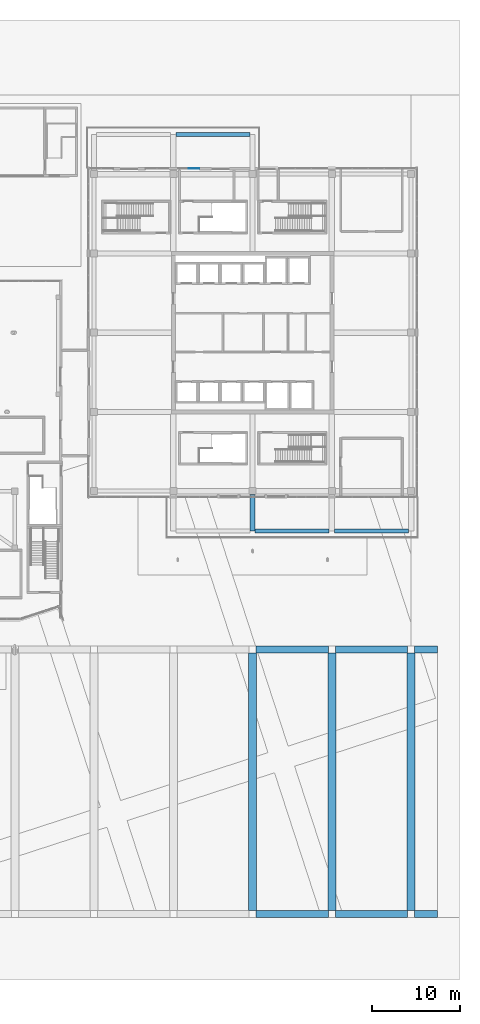
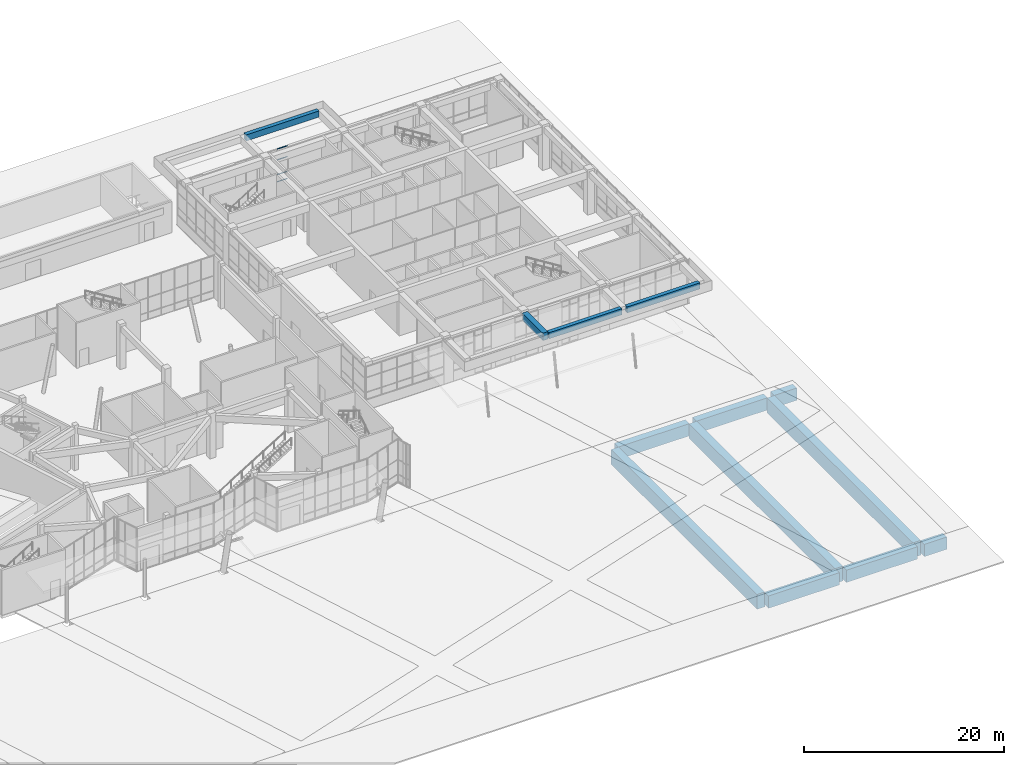
# One storey, part 30 of 72: 13 beams, 4 members, 1 element without a shape of its own.
"""IFC4 building model written with IfcOpenShell, lengths in metres."""

from ifc_helpers import new_model, si_unit, direction, frame, origin, origin_2d, place, context, subcontext, project, spatial, rectangle, hollow_rectangle, extrude, material, layer, layer_set, material_profile, profile_set, type_object, element, aggregate, save


model = new_model("IFC4")

# Units and contexts
model_context = context("Model", 3, precision=1e-05, world=origin(), true_north=direction((0.0, 1.0)))
body_context = subcontext(model_context, "Body", "Model", "MODEL_VIEW")
ifc_project = project(units=[si_unit("LENGTHUNIT", "METRE"), si_unit("AREAUNIT", "SQUARE_METRE"), si_unit("VOLUMEUNIT", "CUBIC_METRE"), si_unit("PLANEANGLEUNIT", "RADIAN"), si_unit("MASSUNIT", "GRAM", prefix="KILO")], contexts=[model_context])

# Site, building, storey
site_placement = place(None, origin())
site = spatial("IfcSite", under=ifc_project, at=site_placement, CompositionType="ELEMENT")
building_placement = place(site_placement, origin())
building = spatial("IfcBuilding", under=site, at=building_placement, Name="Tuart Plaza Theatre", CompositionType="ELEMENT")
storey_placement = place(building_placement, origin())
storey = spatial("IfcBuildingStorey", under=building, at=storey_placement, Name="L00", CompositionType="ELEMENT", Elevation=0.0)

# Beams
ifc_material_1 = material(Name="Concrete N40 (40 MPa)", Category="concrete")
ifc_material_profile_1 = material_profile(ifc_material_1, rectangle(XDim=0.449951171875, YDim=0.75, at=origin_2d()), Name="BEAM 450x750 Concrete N40 (40 MPa)")
ifc_profile_set_1 = profile_set([ifc_material_profile_1], Name="Concrete N40 (40 MPa)")
beam_type_1 = type_object("IfcBeamType", Name="BEAM 450x750 Concrete N40 (40 MPa)", PredefinedType="BEAM", material=ifc_profile_set_1)
for number, where, z_axis, x_axis, name in (
    (1, (123.300048828125, 96.5, 4.875), (1.0, 0.0, 0.0), (0.0, 1.0, 0.0), "RB140"),
    (2, (132.300048828125, 51.5, 4.875), (1.0, 0.0, 0.0), (0.0, 1.0, 0.0), "RB142"),
    (3, (141.300048828125, 51.5, 4.875), (1.0, 0.0, 0.0), (0.0, 1.0, 0.0), "RB149"),
):
    element("IfcBeam", number, at=place(storey_placement, frame(where, z_axis=z_axis, x_axis=x_axis)), inside=storey, type_object=beam_type_1, Name=name, PredefinedType="BEAM", context=body_context, shape_type="SweptSolid", body=[
        extrude(rectangle(XDim=0.449951171875, YDim=0.75, at=origin_2d()), origin(), (0.0, 0.0, 1.0), 8.39990234375),
    ])
ifc_material_2 = material(Name="Concrete N40 (40 MPa)", Category="concrete")
ifc_material_profile_2 = material_profile(ifc_material_2, rectangle(XDim=0.60009765625, YDim=0.89990234375, at=origin_2d()), Name="BEAM 600x900 Concrete N40 (40 MPa)")
ifc_profile_set_2 = profile_set([ifc_material_profile_2], Name="Concrete N40 (40 MPa)")
beam_type_2 = type_object("IfcBeamType", Name="BEAM 600x900 Concrete N40 (40 MPa)", PredefinedType="BEAM", material=ifc_profile_set_2)
beam_1_placement = place(storey_placement, frame((132.0, 51.5, 4.800048828125), z_axis=(0.0, 1.0, 0.0), x_axis=(-1.0, 0.0, 0.0)))
element("IfcBeam", 4, at=beam_1_placement, inside=storey, type_object=beam_type_2, Name="RB141", PredefinedType="BEAM", context=body_context, shape_type="SweptSolid", body=[
    extrude(rectangle(XDim=0.60009765625, YDim=0.89990234375, at=origin_2d()), origin(), (0.0, 0.0, 1.0), 4.10009765625),
])
ifc_material_3 = material(Name="Concrete N40 (40 MPa)", Category="concrete")
ifc_material_profile_3 = material_profile(ifc_material_3, rectangle(XDim=0.800048828125, YDim=1.5, at=origin_2d()), Name="BEAM 800x1500 Concrete N40 (40 MPa)")
ifc_profile_set_3 = profile_set([ifc_material_profile_3], Name="Concrete N40 (40 MPa)")
beam_type_3 = type_object("IfcBeamType", Name="BEAM 800x1500 Concrete N40 (40 MPa)", PredefinedType="BEAM", material=ifc_profile_set_3)
for number, where, z_axis, x_axis, name in (
    (5, (132.39990234375, 8.0, -1.199951171875), (1.0, 0.0, 0.0), (0.0, 1.0, 0.0), "RB411"),
    (6, (141.39990234375, 8.0, -1.199951171875), (1.0, 0.0, 0.0), (0.0, 1.0, 0.0), "RB412"),
):
    element("IfcBeam", number, at=place(storey_placement, frame(where, z_axis=z_axis, x_axis=x_axis)), inside=storey, type_object=beam_type_3, Name=name, PredefinedType="BEAM", context=body_context, shape_type="SweptSolid", body=[
        extrude(rectangle(XDim=0.800048828125, YDim=1.5, at=origin_2d()), origin(), (0.0, 0.0, 1.0), 8.2001953125),
    ])
beam_2_placement = place(storey_placement, frame((150.39990234375, 8.0, -1.199951171875), z_axis=(1.0, 0.0, 0.0), x_axis=(0.0, 1.0, 0.0)))
element("IfcBeam", 7, at=beam_2_placement, inside=storey, type_object=beam_type_3, Name="RB413", PredefinedType="BEAM", context=body_context, shape_type="SweptSolid", body=[
    extrude(rectangle(XDim=0.800048828125, YDim=1.5, at=origin_2d()), origin(), (0.0, 0.0, 1.0), 2.60009765625),
])
for number, where, z_axis, x_axis, name in (
    (8, (132.39990234375, 38.0, -1.199951171875), (1.0, 0.0, 0.0), (0.0, 1.0, 0.0), "RB429"),
    (9, (141.39990234375, 38.0, -1.199951171875), (1.0, 0.0, 0.0), (0.0, 1.0, 0.0), "RB430"),
):
    element("IfcBeam", number, at=place(storey_placement, frame(where, z_axis=z_axis, x_axis=x_axis)), inside=storey, type_object=beam_type_3, Name=name, PredefinedType="BEAM", context=body_context, shape_type="SweptSolid", body=[
        extrude(rectangle(XDim=0.800048828125, YDim=1.5, at=origin_2d()), origin(), (0.0, 0.0, 1.0), 8.2001953125),
    ])
beam_3_placement = place(storey_placement, frame((150.39990234375, 38.0, -1.199951171875), z_axis=(1.0, 0.0, 0.0), x_axis=(0.0, 1.0, 0.0)))
element("IfcBeam", 10, at=beam_3_placement, inside=storey, type_object=beam_type_3, Name="RB431", PredefinedType="BEAM", context=body_context, shape_type="SweptSolid", body=[
    extrude(rectangle(XDim=0.800048828125, YDim=1.5, at=origin_2d()), origin(), (0.0, 0.0, 1.0), 2.60009765625),
])
ifc_material_4 = material(Name="Concrete N40 (40 MPa)", Category="concrete")
ifc_material_profile_4 = material_profile(ifc_material_4, rectangle(XDim=0.89990234375, YDim=1.800048828125, at=origin_2d()), Name="BEAM 900x1800 Concrete N40 (40 MPa)")
ifc_profile_set_4 = profile_set([ifc_material_profile_4], Name="Concrete N40 (40 MPa)")
beam_type_4 = type_object("IfcBeamType", Name="BEAM 900x1800 Concrete N40 (40 MPa)", PredefinedType="BEAM", material=ifc_profile_set_4)
for number, where, z_axis, x_axis, name in (
    (11, (132.0, 8.39990234375, -1.35009765625), (0.0, 1.0, 0.0), (-1.0, 0.0, 0.0), "RB393"),
    (12, (141.0, 8.39990234375, -1.35009765625), (0.0, 1.0, 0.0), (-1.0, 0.0, 0.0), "RB394"),
    (13, (150.0, 8.39990234375, -1.35009765625), (0.0, 1.0, 0.0), (-1.0, 0.0, 0.0), "RB395"),
):
    element("IfcBeam", number, at=place(storey_placement, frame(where, z_axis=z_axis, x_axis=x_axis)), inside=storey, type_object=beam_type_4, Name=name, PredefinedType="BEAM", context=body_context, shape_type="SweptSolid", body=[
        extrude(rectangle(XDim=0.89990234375, YDim=1.800048828125, at=origin_2d()), origin(), (0.0, 0.0, 1.0), 29.2001953125),
    ])

# Curtain wall, members
ifc_material_5 = material(Name="Aluminium and glass", Category="aluminium")
ifc_layer = layer(ifc_material_5, 0.10009765625)
ifc_layer_set = layer_set([ifc_layer], Name="CURTAIN WALL 1250 module")
curtain_wall_type = type_object("IfcCurtainWallType", Name="CURTAIN WALL 1250 module", PredefinedType="NOTDEFINED", material=ifc_layer_set)
curtain_wall_placement = place(storey_placement, origin())
curtain_wall = element("IfcCurtainWall", 14, at=curtain_wall_placement, inside=storey, type_object=curtain_wall_type, Name="CW54", PredefinedType="NOTDEFINED")
ifc_material_6 = material(Name="Aluminium 6063-T5", Category="aluminium")
ifc_material_profile_5 = material_profile(ifc_material_6, hollow_rectangle(XDim=0.050048828125, YDim=0.050048828125, WallThickness=0.00390625, InnerFilletRadius=0.00390625, OuterFilletRadius=0.008056640625, at=origin_2d()), Name="RHS 50x50x4")
ifc_profile_set_5 = profile_set([ifc_material_profile_5], Name="Aluminium 6063-T5")
member_type = type_object("IfcMemberType", Name="TRANSOM RHS 50x50x4", PredefinedType="USERDEFINED", material=ifc_profile_set_5)
member_1_placement = place(storey_placement, frame((125.949951171875, 92.64990234375, 1.22509765625), z_axis=(-1.0, 0.0, 0.0), x_axis=(0.0, -1.0, 0.0)))
member_1 = element("IfcMember", 15, at=member_1_placement, type_object=member_type, Name="CW54 transom 1.1", ObjectType="TRANSOM", PredefinedType="USERDEFINED", context=body_context, shape_type="SweptSolid", body=[
    extrude(hollow_rectangle(XDim=0.050048828125, YDim=0.050048828125, WallThickness=0.00390625, InnerFilletRadius=0.00390625, OuterFilletRadius=0.008056640625, at=origin_2d()), origin(), (0.0, 0.0, 1.0), 1.175048828125),
])
member_2_placement = place(storey_placement, frame((125.949951171875, 92.64990234375, 2.10009765625), z_axis=(-1.0, 0.0, 0.0), x_axis=(0.0, -1.0, 0.0)))
member_2 = element("IfcMember", 16, at=member_2_placement, type_object=member_type, Name="CW54 transom 1.2", ObjectType="TRANSOM", PredefinedType="USERDEFINED", context=body_context, shape_type="SweptSolid", body=[
    extrude(hollow_rectangle(XDim=0.050048828125, YDim=0.050048828125, WallThickness=0.00390625, InnerFilletRadius=0.00390625, OuterFilletRadius=0.008056640625, at=origin_2d()), origin(), (0.0, 0.0, 1.0), 1.175048828125),
])
member_3_placement = place(storey_placement, frame((125.949951171875, 92.64990234375, 3.89990234375), z_axis=(-1.0, 0.0, 0.0), x_axis=(0.0, -1.0, 0.0)))
member_3 = element("IfcMember", 17, at=member_3_placement, type_object=member_type, Name="CW54 transom 1.3", ObjectType="TRANSOM", PredefinedType="USERDEFINED", context=body_context, shape_type="SweptSolid", body=[
    extrude(hollow_rectangle(XDim=0.050048828125, YDim=0.050048828125, WallThickness=0.00390625, InnerFilletRadius=0.00390625, OuterFilletRadius=0.008056640625, at=origin_2d()), origin(), (0.0, 0.0, 1.0), 1.175048828125),
])
member_4_placement = place(storey_placement, frame((125.949951171875, 92.64990234375, 5.22509765625), z_axis=(-1.0, 0.0, 0.0), x_axis=(0.0, -1.0, 0.0)))
member_4 = element("IfcMember", 18, at=member_4_placement, type_object=member_type, Name="CW54 transom 1.4", ObjectType="TRANSOM", PredefinedType="USERDEFINED", context=body_context, shape_type="SweptSolid", body=[
    extrude(hollow_rectangle(XDim=0.050048828125, YDim=0.050048828125, WallThickness=0.00390625, InnerFilletRadius=0.00390625, OuterFilletRadius=0.008056640625, at=origin_2d()), origin(), (0.0, 0.0, 1.0), 1.175048828125),
])
aggregate(curtain_wall, [member_1, member_2, member_3, member_4])

save(model, "model.ifc")
